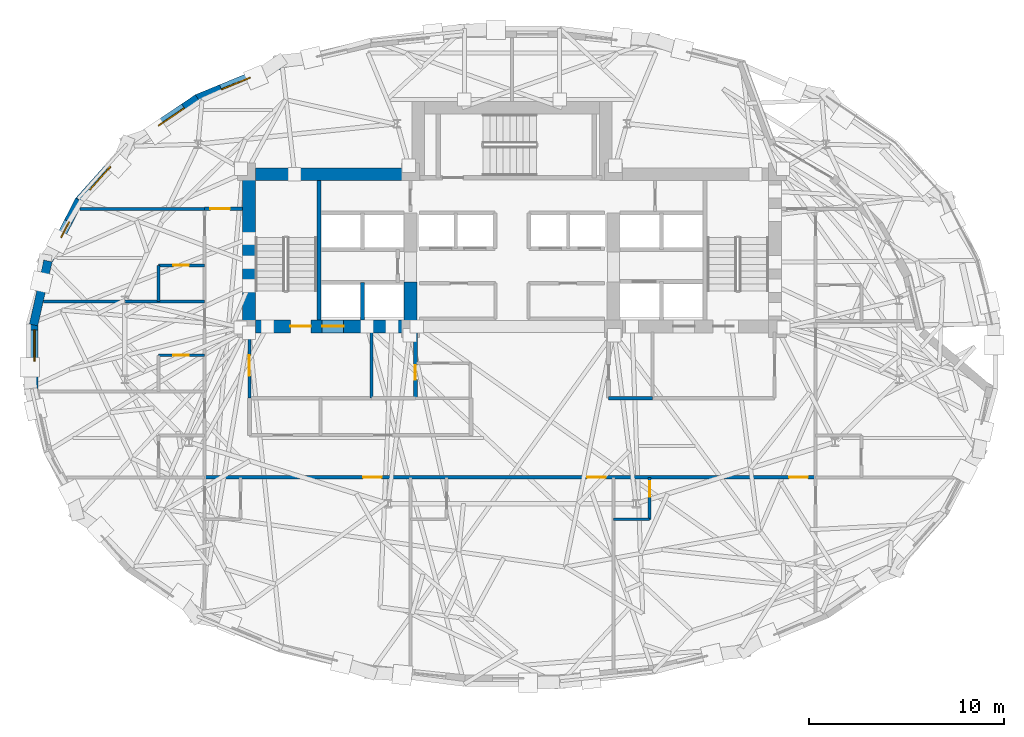
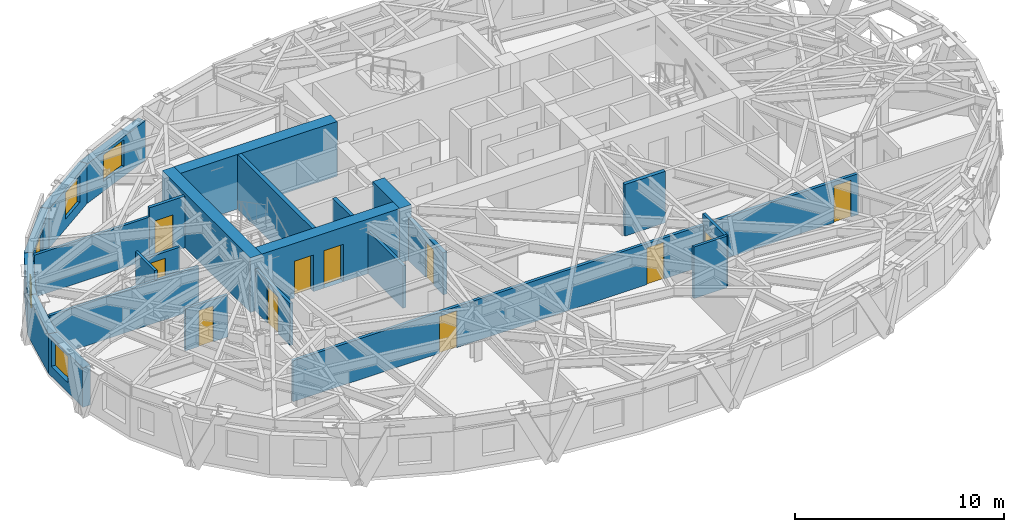
# One storey, part 8 of 15: 25 walls, 11 doors, 5 windows, 16 openings.
"""IFC4 building model written with IfcOpenShell, lengths in metres."""

from ifc_helpers import new_model, si_unit, direction, frame, frame_2d, origin, place, context, subcontext, project, spatial, rectangle, extrude, material, layer, layer_set, type_object, element, fill, save


model = new_model("IFC4")

# Units and contexts
model_context = context("Model", 3, precision=1e-05, world=origin(), true_north=direction((0.0, 1.0)))
body_context = subcontext(model_context, "Body", "Model", "MODEL_VIEW")
ifc_project = project(units=[si_unit("LENGTHUNIT", "METRE"), si_unit("AREAUNIT", "SQUARE_METRE"), si_unit("VOLUMEUNIT", "CUBIC_METRE"), si_unit("PLANEANGLEUNIT", "RADIAN"), si_unit("MASSUNIT", "GRAM", prefix="KILO")], contexts=[model_context])

# Site, building, storey
site_placement = place(None, origin())
site = spatial("IfcSite", under=ifc_project, at=site_placement, CompositionType="ELEMENT")
building_placement = place(site_placement, origin())
building = spatial("IfcBuilding", under=site, at=building_placement, Name="Keldmark Tower", CompositionType="ELEMENT")
storey_placement = place(building_placement, frame((0.0, 0.0, 156.60009765625)))
storey = spatial("IfcBuildingStorey", under=building, at=storey_placement, Name="L42", CompositionType="ELEMENT", Elevation=156.60009765625)

# Wall, opening, door
ifc_material_1 = material(Name="Type X Fire-Rated Gypsum Partition Assembly", Category="gypsum")
ifc_layer_1 = layer(ifc_material_1, 0.1650390625)
ifc_layer_set_1 = layer_set([ifc_layer_1], Name="Type X Fire-Rated Gypsum Partition Assembly")
wall_type_1 = type_object("IfcWallType", Name="Rated Partition 165 mm", PredefinedType="PARTITIONING", material=ifc_layer_set_1)
wall_1_placement = place(storey_placement, frame((-13.449951171875, -2.14990234375, 0.0), z_axis=(0.0, 0.0, 1.0), x_axis=(0.0, 1.0, 0.0)))
wall_1 = element("IfcWall", 1, at=wall_1_placement, inside=storey, type_object=wall_type_1, Name="L42 Rated Partition 165 mm FSAE-W-W", PredefinedType="PARTITIONING", context=body_context, shape_type="SweptSolid", body=[
    extrude(rectangle(XDim=3.39990234375, YDim=0.1650390625, at=frame_2d((1.699951171875, 0.0))), origin(), (0.0, 0.0, 1.0), 2.472900390625),
])
opening_1_placement = place(wall_1_placement, frame((1.14990234375, 0.0, 0.0)))
opening_1 = element("IfcOpeningElement", 2, at=opening_1_placement, cuts=wall_1, Name="Opening D-FL105", PredefinedType="OPENING", context=body_context, shape_type="SweptSolid", body=[
    extrude(rectangle(XDim=1.050048828125, YDim=2.14990234375, at=frame_2d((0.52490234375, 1.074951171875))), frame((0.0, 0.092529296875, 0.0), z_axis=(0.0, -1.0, 0.0), x_axis=(1.0, 0.0, 0.0)), (0.0, 0.0, 1.0), 0.18505859375),
])
ifc_material_2 = material(Name="Fire-Rated Mineral-Core Door and Vision Lite", Category="metal")
door_type_1 = type_object("IfcDoorType", Name="Fire Lobby Door 1050x2150", OperationType="NOTDEFINED", PredefinedType="DOOR", material=ifc_material_2)
door_1_placement = place(opening_1_placement, origin())
door_1 = element("IfcDoor", 3, at=door_1_placement, inside=storey, type_object=door_type_1, Name="L42 Fire Lobby Door 1050x2150 D-FSAEW-OUT-L42", OperationType="SINGLE_SWING_LEFT", OverallHeight=2.14990234375, OverallWidth=1.050048828125, PredefinedType="DOOR", context=body_context, shape_type="SweptSolid", body=[
    extrude(rectangle(XDim=1.050048828125, YDim=2.14990234375, at=frame_2d((0.52490234375, 1.074951171875))), frame((0.0, 0.02490234375, 0.0), z_axis=(0.0, -1.0, 0.0), x_axis=(1.0, 0.0, 0.0)), (0.0, 0.0, 1.0), 0.050048828125),
])
fill(opening_1, door_1)

# Wall
wall_2_placement = place(storey_placement, frame((-7.199951171875, -2.14990234375, 0.0), z_axis=(0.0, 0.0, 1.0), x_axis=(0.0, 1.0, 0.0)))
element("IfcWall", 4, at=wall_2_placement, inside=storey, type_object=wall_type_1, Name="L42 Rated Partition 165 mm FSAE-W-E", PredefinedType="PARTITIONING", context=body_context, shape_type="SweptSolid", body=[
    extrude(rectangle(XDim=3.39990234375, YDim=0.1650390625, at=frame_2d((1.699951171875, 0.0))), origin(), (0.0, 0.0, 1.0), 2.472900390625),
])

# Wall, openings, doors
wall_3_placement = place(storey_placement, frame((-15.75, -6.199951171875, 0.0), z_axis=(0.0, 0.0, 1.0), x_axis=(1.0, 0.0, 0.0)))
wall_3 = element("IfcWall", 5, at=wall_3_placement, inside=storey, type_object=wall_type_1, Name="L42 Rated Partition 165 mm HCOR-S", PredefinedType="PARTITIONING", context=body_context, shape_type="SweptSolid", body=[
    extrude(rectangle(XDim=31.300048828125, YDim=0.1650390625, at=frame_2d((15.64990234375, 0.0))), origin(), (0.0, 0.0, 1.0), 2.39794921875),
])
opening_2_placement = place(wall_3_placement, frame((8.1201171875, 0.0, 0.0)))
opening_2 = element("IfcOpeningElement", 6, at=opening_2_placement, cuts=wall_3, Name="Opening D-HT095", PredefinedType="OPENING", context=body_context, shape_type="SweptSolid", body=[
    extrude(rectangle(XDim=0.949951171875, YDim=2.14990234375, at=frame_2d((0.47509765625, 1.074951171875))), frame((0.0, 0.092529296875, 0.0), z_axis=(0.0, -1.0, 0.0), x_axis=(1.0, 0.0, 0.0)), (0.0, 0.0, 1.0), 0.18505859375),
])
opening_3_placement = place(wall_3_placement, frame((19.60009765625, 0.0, 0.0)))
opening_3 = element("IfcOpeningElement", 7, at=opening_3_placement, cuts=wall_3, Name="Opening D-HT095", PredefinedType="OPENING", context=body_context, shape_type="SweptSolid", body=[
    extrude(rectangle(XDim=0.949951171875, YDim=2.14990234375, at=frame_2d((0.47509765625, 1.074951171875))), frame((0.0, 0.092529296875, 0.0), z_axis=(0.0, -1.0, 0.0), x_axis=(1.0, 0.0, 0.0)), (0.0, 0.0, 1.0), 0.18505859375),
])
opening_4_placement = place(wall_3_placement, frame((29.949951171875, 0.0, 0.0)))
opening_4 = element("IfcOpeningElement", 8, at=opening_4_placement, cuts=wall_3, Name="Opening D-HT095", PredefinedType="OPENING", context=body_context, shape_type="SweptSolid", body=[
    extrude(rectangle(XDim=0.949951171875, YDim=2.14990234375, at=frame_2d((0.47509765625, 1.074951171875))), frame((0.0, 0.092529296875, 0.0), z_axis=(0.0, -1.0, 0.0), x_axis=(1.0, 0.0, 0.0)), (0.0, 0.0, 1.0), 0.18505859375),
])
ifc_material_3 = material(Name="Solid-Core Acoustic White Oak Fire-Rated Assembly", Category="wood")
door_type_2 = type_object("IfcDoorType", Name="Hotel Entry Door 950x2150", OperationType="NOTDEFINED", PredefinedType="DOOR", material=ifc_material_3)
door_2_placement = place(opening_2_placement, origin())
door_2 = element("IfcDoor", 9, at=door_2_placement, inside=storey, type_object=door_type_2, Name="L42 Hotel Entry Door 950x2150 D-HRS1-L42", OperationType="SINGLE_SWING_RIGHT", OverallHeight=2.14990234375, OverallWidth=0.949951171875, PredefinedType="DOOR", context=body_context, shape_type="SweptSolid", body=[
    extrude(rectangle(XDim=0.949951171875, YDim=2.14990234375, at=frame_2d((0.47509765625, 1.074951171875))), frame((0.0, 0.02490234375, 0.0), z_axis=(0.0, -1.0, 0.0), x_axis=(1.0, 0.0, 0.0)), (0.0, 0.0, 1.0), 0.050048828125),
])
fill(opening_2, door_2)
door_3_placement = place(opening_3_placement, origin())
door_3 = element("IfcDoor", 10, at=door_3_placement, inside=storey, type_object=door_type_2, Name="L42 Hotel Entry Door 950x2150 D-HRS2-L42", OperationType="SINGLE_SWING_LEFT", OverallHeight=2.14990234375, OverallWidth=0.949951171875, PredefinedType="DOOR", context=body_context, shape_type="SweptSolid", body=[
    extrude(rectangle(XDim=0.949951171875, YDim=2.14990234375, at=frame_2d((0.47509765625, 1.074951171875))), frame((0.0, 0.02490234375, 0.0), z_axis=(0.0, -1.0, 0.0), x_axis=(1.0, 0.0, 0.0)), (0.0, 0.0, 1.0), 0.050048828125),
])
fill(opening_3, door_3)
door_4_placement = place(opening_4_placement, origin())
door_4 = element("IfcDoor", 11, at=door_4_placement, inside=storey, type_object=door_type_2, Name="L42 Hotel Entry Door 950x2150 D-HRS3-L42", OperationType="SINGLE_SWING_RIGHT", OverallHeight=2.14990234375, OverallWidth=0.949951171875, PredefinedType="DOOR", context=body_context, shape_type="SweptSolid", body=[
    extrude(rectangle(XDim=0.949951171875, YDim=2.14990234375, at=frame_2d((0.47509765625, 1.074951171875))), frame((0.0, 0.02490234375, 0.0), z_axis=(0.0, -1.0, 0.0), x_axis=(1.0, 0.0, 0.0)), (0.0, 0.0, 1.0), 0.050048828125),
])
fill(opening_4, door_4)

# Wall, opening, door
wall_4_placement = place(storey_placement, frame((-15.75, 7.550048828125, 0.0), z_axis=(0.0, 0.0, 1.0), x_axis=(1.0, 0.0, 0.0)))
wall_4 = element("IfcWall", 12, at=wall_4_placement, inside=storey, type_object=wall_type_1, Name="L42 Rated Partition 165 mm HCOR-WN", PredefinedType="PARTITIONING", context=body_context, shape_type="SweptSolid", body=[
    extrude(rectangle(XDim=1.949951171875, YDim=0.1650390625, at=frame_2d((0.97509765625, 0.0))), origin(), (0.0, 0.0, 1.0), 3.02001953125),
])
opening_5_placement = place(wall_4_placement, frame((0.300048828125, 0.0, 0.0)))
opening_5 = element("IfcOpeningElement", 13, at=opening_5_placement, cuts=wall_4, Name="Opening D-FD100", PredefinedType="OPENING", context=body_context, shape_type="SweptSolid", body=[
    extrude(rectangle(XDim=1.0, YDim=2.14990234375, at=frame_2d((0.5, 1.074951171875))), frame((0.0, 0.092529296875, 0.0), z_axis=(0.0, -1.0, 0.0), x_axis=(1.0, 0.0, 0.0)), (0.0, 0.0, 1.0), 0.18505859375),
])
ifc_material_4 = material(Name="Hollow Metal Fire-Rated Corridor Door", Category="metal")
door_type_3 = type_object("IfcDoorType", Name="Fire Door 1000x2150", OperationType="NOTDEFINED", PredefinedType="DOOR", material=ifc_material_4)
door_5_placement = place(opening_5_placement, origin())
door_5 = element("IfcDoor", 14, at=door_5_placement, inside=storey, type_object=door_type_3, Name="L42 Fire Door 1000x2150 D-HNNW-L42", OperationType="SINGLE_SWING_LEFT", OverallHeight=2.14990234375, OverallWidth=1.0, PredefinedType="DOOR", context=body_context, shape_type="SweptSolid", body=[
    extrude(rectangle(XDim=1.0, YDim=2.14990234375, at=frame_2d((0.5, 1.074951171875))), frame((0.0, 0.02490234375, 0.0), z_axis=(0.0, -1.0, 0.0), x_axis=(1.0, 0.0, 0.0)), (0.0, 0.0, 1.0), 0.050048828125),
])
fill(opening_5, door_5)

ifc_material_5 = material(Name="Fire-Resistant Type X Gypsum Shaftliner Coreboard", Category="gypsum")
ifc_layer_2 = layer(ifc_material_5, 0.199951171875)
ifc_layer_set_2 = layer_set([ifc_layer_2], Name="Fire-Resistant Type X Gypsum Shaftliner Coreboard")
wall_type_2 = type_object("IfcWallType", Name="Shaft Wall 200 mm", PredefinedType="SOLIDWALL", material=ifc_layer_set_2)
wall_5_placement = place(storey_placement, frame((-4.949951171875, -2.14990234375, 0.0), z_axis=(0.0, 0.0, 1.0), x_axis=(0.0, 1.0, 0.0)))
wall_5 = element("IfcWall", 15, at=wall_5_placement, inside=storey, type_object=wall_type_2, Name="L42 Shaft Wall 200 mm RIS-SW-E", PredefinedType="SOLIDWALL", context=body_context, shape_type="SweptSolid", body=[
    extrude(rectangle(XDim=3.39990234375, YDim=0.199951171875, at=frame_2d((1.699951171875, 0.0))), origin(), (0.0, 0.0, 1.0), 2.472900390625),
])
opening_6_placement = place(wall_5_placement, frame((0.949951171875, 0.0, 0.0)))
opening_6 = element("IfcOpeningElement", 16, at=opening_6_placement, cuts=wall_5, Name="Opening D-RS075", PredefinedType="OPENING", context=body_context, shape_type="SweptSolid", body=[
    extrude(rectangle(XDim=0.75, YDim=2.10009765625, at=frame_2d((0.375, 1.050048828125))), frame((0.0, 0.10986328125, 0.0), z_axis=(0.0, -1.0, 0.0), x_axis=(1.0, 0.0, 0.0)), (0.0, 0.0, 1.0), 0.219970703125),
])
ifc_material_6 = material(Name="Galvanized Fire-Rated Access Leaf", Category="metal")
door_type_4 = type_object("IfcDoorType", Name="Riser Access Door 750x2100", OperationType="NOTDEFINED", PredefinedType="DOOR", material=ifc_material_6)
door_6_placement = place(opening_6_placement, origin())
door_6 = element("IfcDoor", 17, at=door_6_placement, inside=storey, type_object=door_type_4, Name="L42 Riser Access Door 750x2100 D-RISSW-L42", OperationType="SINGLE_SWING_RIGHT", OverallHeight=2.10009765625, OverallWidth=0.75, PredefinedType="DOOR", context=body_context, shape_type="SweptSolid", body=[
    extrude(rectangle(XDim=0.75, YDim=2.10009765625, at=frame_2d((0.375, 1.050048828125))), frame((0.0, 0.02490234375, 0.0), z_axis=(0.0, -1.0, 0.0), x_axis=(1.0, 0.0, 0.0)), (0.0, 0.0, 1.0), 0.050048828125),
])
fill(opening_6, door_6)

# Walls
wall_6_placement = place(storey_placement, frame((4.949951171875, -2.14990234375, 0.0), z_axis=(0.0, 0.0, 1.0), x_axis=(1.0, 0.0, 0.0)))
element("IfcWall", 18, at=wall_6_placement, inside=storey, type_object=wall_type_2, Name="L42 Shaft Wall 200 mm RIS-SE-S", PredefinedType="SOLIDWALL", context=body_context, shape_type="SweptSolid", body=[
    extrude(rectangle(XDim=2.25, YDim=0.199951171875, at=frame_2d((1.125, 0.0))), origin(), (0.0, 0.0, 1.0), 3.02001953125),
])
wall_7_placement = place(storey_placement, frame((-7.64990234375, 1.85009765625, 0.0), z_axis=(0.0, 0.0, 1.0), x_axis=(0.0, 1.0, 0.0)))
element("IfcWall", 19, at=wall_7_placement, inside=storey, type_object=wall_type_2, Name="L42 Shaft Wall 200 mm HW-W-M", PredefinedType="SOLIDWALL", context=body_context, shape_type="SweptSolid", body=[
    extrude(rectangle(XDim=1.929931640625, YDim=0.199951171875, at=frame_2d((0.96484375, 0.0))), origin(), (0.0, 0.0, 1.0), 3.02001953125),
])
ifc_material_7 = material(Name="Concrete C50/60", Category="concrete")
ifc_layer_3 = layer(ifc_material_7, 0.219970703125)
ifc_layer_set_3 = layer_set([ifc_layer_3], Name="Concrete C50/60")
wall_type_3 = type_object("IfcWallType", Name="Stair Core Shear Wall 220 mm", PredefinedType="SHEAR", material=ifc_layer_set_3)
wall_8_placement = place(storey_placement, frame((-9.889892578125, 1.85009765625, 0.0), z_axis=(0.0, 0.0, 1.0), x_axis=(0.0, 1.0, 0.0)))
element("IfcWall", 20, at=wall_8_placement, inside=storey, type_object=wall_type_3, Name="L42 West Stair Core Shear Wall", PredefinedType="SHEAR", context=body_context, shape_type="SweptSolid", body=[
    extrude(rectangle(XDim=7.14990234375, YDim=0.219970703125, at=frame_2d((3.574951171875, 0.0))), origin(), (0.0, 0.0, 1.0), 3.199951171875),
])

# Wall, opening, window
ifc_material_8 = material(Name="Ironspot Manganese Brick and Kasota Buff Limestone Spandrel Assembly", Category="masonry")
ifc_layer_4 = layer(ifc_material_8, 0.43994140625)
ifc_layer_set_4 = layer_set([ifc_layer_4], Name="Ironspot Manganese Brick and Kasota Buff Limestone Spandrel Assembly")
wall_type_4 = type_object("IfcWallType", Name="Tower Brick Pier and Spandrel Wall 440 mm", PredefinedType="STANDARD", material=ifc_layer_set_4)
wall_9_placement = place(storey_placement, frame((-16.138427734375, 13.1953125, 0.0), z_axis=(0.0, 0.0, 1.0), x_axis=(0.925044361302, 0.3798590918, 0.0)))
wall_9 = element("IfcWall", 21, at=wall_9_placement, inside=storey, type_object=wall_type_4, Name="L42 Exterior Brick and Spandrel Wall 11", PredefinedType="STANDARD", context=body_context, shape_type="SweptSolid", body=[
    extrude(rectangle(XDim=4.619140625, YDim=0.43994140625, at=frame_2d((2.3095703125, 0.0))), origin(), (0.0, 0.0, 1.0), 2.31494140625),
])
opening_7_placement = place(wall_9_placement, frame((1.336669921875, 0.0, 0.580078125)))
opening_7 = element("IfcOpeningElement", 22, at=opening_7_placement, cuts=wall_9, Name="Opening W-04", PredefinedType="OPENING", context=body_context, shape_type="SweptSolid", body=[
    extrude(rectangle(XDim=1.60009765625, YDim=1.550048828125, at=frame_2d((0.800048828125, 0.77490234375))), frame((0.0, 0.22998046875, 0.0), z_axis=(0.0, -1.0, 0.0), x_axis=(1.0, 0.0, 0.0)), (0.0, 0.0, 1.0), 0.4599609375),
])
ifc_material_9 = material(Name="Thermally Broken Anodized Aluminum and Triple Low-E Argon Glazing", Category="aluminium")
window_type_1 = type_object("IfcWindowType", Name="Hotel Deep-Set Operable Window 1600x1550", PartitioningType="DOUBLE_PANEL_HORIZONTAL", PredefinedType="WINDOW", material=ifc_material_9)
window_1_placement = place(opening_7_placement, origin())
window_1 = element("IfcWindow", 23, at=window_1_placement, inside=storey, type_object=window_type_1, Name="L42 Deep-Set Window 11", OverallHeight=1.550048828125, OverallWidth=1.60009765625, PartitioningType="SINGLE_PANEL", PredefinedType="WINDOW", context=body_context, shape_type="SweptSolid", body=[
    extrude(rectangle(XDim=1.60009765625, YDim=1.550048828125, at=frame_2d((0.800048828125, 0.77490234375))), frame((0.0, -0.010009765625, 0.0), z_axis=(0.0, -1.0, 0.0), x_axis=(1.0, 0.0, 0.0)), (0.0, 0.0, 1.0), 0.06005859375),
])
fill(opening_7, window_1)

wall_10_placement = place(storey_placement, frame((-19.643310546875, 10.814208984375, 0.0), z_axis=(0.0, 0.0, 1.0), x_axis=(0.827771778383, 0.561064954272, 0.0)))
wall_10 = element("IfcWall", 24, at=wall_10_placement, inside=storey, type_object=wall_type_4, Name="L42 Exterior Brick and Spandrel Wall 12", PredefinedType="STANDARD", context=body_context, shape_type="SweptSolid", body=[
    extrude(rectangle(XDim=4.2822265625, YDim=0.43994140625, at=frame_2d((2.14111328125, 0.0))), origin(), (0.0, 0.0, 1.0), 2.31494140625),
])
opening_8_placement = place(wall_10_placement, frame((1.837158203125, 0.0, 0.580078125)))
opening_8 = element("IfcOpeningElement", 25, at=opening_8_placement, cuts=wall_10, Name="Opening W-04", PredefinedType="OPENING", context=body_context, shape_type="SweptSolid", body=[
    extrude(rectangle(XDim=1.60009765625, YDim=1.550048828125, at=frame_2d((0.800048828125, 0.77490234375))), frame((0.0, 0.22998046875, 0.0), z_axis=(0.0, -1.0, 0.0), x_axis=(1.0, 0.0, 0.0)), (0.0, 0.0, 1.0), 0.4599609375),
])
window_2_placement = place(opening_8_placement, origin())
window_2 = element("IfcWindow", 26, at=window_2_placement, inside=storey, type_object=window_type_1, Name="L42 Deep-Set Window 12", OverallHeight=1.550048828125, OverallWidth=1.60009765625, PartitioningType="SINGLE_PANEL", PredefinedType="WINDOW", context=body_context, shape_type="SweptSolid", body=[
    extrude(rectangle(XDim=1.60009765625, YDim=1.550048828125, at=frame_2d((0.800048828125, 0.77490234375))), frame((0.0, -0.010009765625, 0.0), z_axis=(0.0, -1.0, 0.0), x_axis=(1.0, 0.0, 0.0)), (0.0, 0.0, 1.0), 0.06005859375),
])
fill(opening_8, window_2)

wall_11_placement = place(storey_placement, frame((-22.191162109375, 7.953125, 0.0), z_axis=(0.0, 0.0, 1.0), x_axis=(0.666335444554, 0.745652114147, 0.0)))
wall_11 = element("IfcWall", 27, at=wall_11_placement, inside=storey, type_object=wall_type_4, Name="L42 Exterior Brick and Spandrel Wall 13", PredefinedType="STANDARD", context=body_context, shape_type="SweptSolid", body=[
    extrude(rectangle(XDim=3.884521484375, YDim=0.43994140625, at=frame_2d((1.9423828125, 0.0))), origin(), (0.0, 0.0, 1.0), 2.31494140625),
])
opening_9_placement = place(wall_11_placement, frame((0.795166015625, 0.0, 0.580078125)))
opening_9 = element("IfcOpeningElement", 28, at=opening_9_placement, cuts=wall_11, Name="Opening W-04", PredefinedType="OPENING", context=body_context, shape_type="SweptSolid", body=[
    extrude(rectangle(XDim=1.60009765625, YDim=1.550048828125, at=frame_2d((0.800048828125, 0.77490234375))), frame((0.0, 0.22998046875, 0.0), z_axis=(0.0, -1.0, 0.0), x_axis=(1.0, 0.0, 0.0)), (0.0, 0.0, 1.0), 0.4599609375),
])
window_3_placement = place(opening_9_placement, origin())
window_3 = element("IfcWindow", 29, at=window_3_placement, inside=storey, type_object=window_type_1, Name="L42 Deep-Set Window 13", OverallHeight=1.550048828125, OverallWidth=1.60009765625, PartitioningType="SINGLE_PANEL", PredefinedType="WINDOW", context=body_context, shape_type="SweptSolid", body=[
    extrude(rectangle(XDim=1.60009765625, YDim=1.550048828125, at=frame_2d((0.800048828125, 0.77490234375))), frame((0.0, -0.010009765625, 0.0), z_axis=(0.0, -1.0, 0.0), x_axis=(1.0, 0.0, 0.0)), (0.0, 0.0, 1.0), 0.06005859375),
])
fill(opening_9, window_3)

wall_12_placement = place(storey_placement, frame((-23.788818359375, 4.831298828125, 0.0), z_axis=(0.0, 0.0, 1.0), x_axis=(0.457409955052, 0.889255943483, 0.0)))
wall_12 = element("IfcWall", 30, at=wall_12_placement, inside=storey, type_object=wall_type_4, Name="L42 Exterior Brick and Spandrel Wall 14", PredefinedType="STANDARD", context=body_context, shape_type="SweptSolid", body=[
    extrude(rectangle(XDim=3.562255859375, YDim=0.43994140625, at=frame_2d((1.78125, 0.0))), origin(), (0.0, 0.0, 1.0), 2.31494140625),
])
opening_10_placement = place(wall_12_placement, frame((1.429443359375, 0.0, 0.580078125)))
opening_10 = element("IfcOpeningElement", 31, at=opening_10_placement, cuts=wall_12, Name="Opening W-09", PredefinedType="OPENING", context=body_context, shape_type="SweptSolid", body=[
    extrude(rectangle(XDim=0.89990234375, YDim=1.35009765625, at=frame_2d((0.449951171875, 0.675048828125))), frame((0.0, 0.22998046875, 0.0), z_axis=(0.0, -1.0, 0.0), x_axis=(1.0, 0.0, 0.0)), (0.0, 0.0, 1.0), 0.4599609375),
])
ifc_material_10 = material(Name="Thermally Broken Anodized Aluminum and Triple Low-E Argon Glazing", Category="aluminium")
window_type_2 = type_object("IfcWindowType", Name="Corner Pier Deep-Set Window 900x1350", PartitioningType="SINGLE_PANEL", PredefinedType="WINDOW", material=ifc_material_10)
window_4_placement = place(opening_10_placement, origin())
window_4 = element("IfcWindow", 32, at=window_4_placement, inside=storey, type_object=window_type_2, Name="L42 Deep-Set Window 14", OverallHeight=1.35009765625, OverallWidth=0.89990234375, PartitioningType="SINGLE_PANEL", PredefinedType="WINDOW", context=body_context, shape_type="SweptSolid", body=[
    extrude(rectangle(XDim=0.89990234375, YDim=1.35009765625, at=frame_2d((0.449951171875, 0.675048828125))), frame((0.0, -0.010009765625, 0.0), z_axis=(0.0, -1.0, 0.0), x_axis=(1.0, 0.0, 0.0)), (0.0, 0.0, 1.0), 0.06005859375),
])
fill(opening_10, window_4)

# Wall
wall_13_placement = place(storey_placement, frame((-24.50634765625, 1.602294921875, 0.0), z_axis=(0.0, 0.0, 1.0), x_axis=(0.219028468724, 0.97571846856, 0.0)))
element("IfcWall", 33, at=wall_13_placement, inside=storey, type_object=wall_type_4, Name="L42 Exterior Brick and Spandrel Wall 15", PredefinedType="STANDARD", context=body_context, shape_type="SweptSolid", body=[
    extrude(rectangle(XDim=3.36279296875, YDim=0.43994140625, at=frame_2d((1.681396484375, 0.0))), origin(), (0.0, 0.0, 1.0), 2.31494140625),
])

# Wall, opening, window
wall_14_placement = place(storey_placement, frame((-24.501220703125, -1.650390625, 0.0), z_axis=(0.0, 0.0, 1.0), x_axis=(0.0, 1.0, 0.0)))
wall_14 = element("IfcWall", 34, at=wall_14_placement, inside=storey, type_object=wall_type_4, Name="L42 Exterior Brick and Spandrel Wall 16", PredefinedType="STANDARD", context=body_context, shape_type="SweptSolid", body=[
    extrude(rectangle(XDim=3.30078125, YDim=0.43994140625, at=frame_2d((1.650390625, 0.0))), origin(), (0.0, 0.0, 1.0), 2.31494140625),
])
opening_11_placement = place(wall_14_placement, frame((1.404541015625, 0.0, 0.580078125)))
opening_11 = element("IfcOpeningElement", 35, at=opening_11_placement, cuts=wall_14, Name="Opening W-04", PredefinedType="OPENING", context=body_context, shape_type="SweptSolid", body=[
    extrude(rectangle(XDim=1.60009765625, YDim=1.550048828125, at=frame_2d((0.800048828125, 0.77490234375))), frame((0.0, 0.22998046875, 0.0), z_axis=(0.0, -1.0, 0.0), x_axis=(1.0, 0.0, 0.0)), (0.0, 0.0, 1.0), 0.4599609375),
])
window_5_placement = place(opening_11_placement, origin())
window_5 = element("IfcWindow", 36, at=window_5_placement, inside=storey, type_object=window_type_1, Name="L42 Deep-Set Window 16", OverallHeight=1.550048828125, OverallWidth=1.60009765625, PartitioningType="SINGLE_PANEL", PredefinedType="WINDOW", context=body_context, shape_type="SweptSolid", body=[
    extrude(rectangle(XDim=1.60009765625, YDim=1.550048828125, at=frame_2d((0.800048828125, 0.77490234375))), frame((0.0, -0.010009765625, 0.0), z_axis=(0.0, -1.0, 0.0), x_axis=(1.0, 0.0, 0.0)), (0.0, 0.0, 1.0), 0.06005859375),
])
fill(opening_11, window_5)

# Walls
ifc_material_11 = material(Name="Concrete C50/60", Category="concrete")
ifc_layer_5 = layer(ifc_material_11, 0.64990234375)
ifc_layer_set_5 = layer_set([ifc_layer_5], Name="Concrete C50/60")
wall_type_5 = type_object("IfcWallType", Name="Upper-Mid Core Shear Wall 650 mm", PredefinedType="SHEAR", material=ifc_layer_set_5)
wall_15_placement = place(storey_placement, frame((-13.47509765625, 1.199951171875, 0.0), z_axis=(0.0, 0.0, 1.0), x_axis=(0.0, 1.0, 0.0)))
element("IfcWall", 37, at=wall_15_placement, inside=storey, type_object=wall_type_5, Name="L42 West Core Outer Shear Wall", PredefinedType="SHEAR", context=body_context, shape_type="SweptSolid", body=[
    extrude(rectangle(XDim=8.449951171875, YDim=0.64990234375, at=frame_2d((4.22509765625, 0.0))), origin(), (0.0, 0.0, 1.0), 3.199951171875),
])
wall_16_placement = place(storey_placement, frame((-13.800048828125, 9.324951171875, 0.0), z_axis=(0.0, 0.0, 1.0), x_axis=(1.0, 0.0, 0.0)))
element("IfcWall", 38, at=wall_16_placement, inside=storey, type_object=wall_type_5, Name="L42 West Core North Shear Wall", PredefinedType="SHEAR", context=body_context, shape_type="SweptSolid", body=[
    extrude(rectangle(XDim=9.324951171875, YDim=0.64990234375, at=frame_2d((4.66259765625, 0.0))), origin(), (0.0, 0.0, 1.0), 3.199951171875),
])

# Wall, openings, doors
wall_17_placement = place(storey_placement, frame((-4.875, 1.52490234375, 0.0), z_axis=(0.0, 0.0, 1.0), x_axis=(-1.0, 0.0, 0.0)))
wall_17 = element("IfcWall", 39, at=wall_17_placement, inside=storey, type_object=wall_type_5, Name="L42 West Core South Shear Wall", PredefinedType="SHEAR", context=body_context, shape_type="SweptSolid", body=[
    extrude(rectangle(XDim=8.925048828125, YDim=0.64990234375, at=frame_2d((4.46240234375, 0.0))), origin(), (0.0, 0.0, 1.0), 3.199951171875),
])
opening_12_placement = place(wall_17_placement, frame((5.425048828125, 0.0, 0.0)))
opening_12 = element("IfcOpeningElement", 40, at=opening_12_placement, cuts=wall_17, Name="Opening D-ST105", PredefinedType="OPENING", context=body_context, shape_type="SweptSolid", body=[
    extrude(rectangle(XDim=1.050048828125, YDim=2.14990234375, at=frame_2d((0.52490234375, 1.074951171875))), frame((0.0, 0.3349609375, 0.0), z_axis=(0.0, -1.0, 0.0), x_axis=(1.0, 0.0, 0.0)), (0.0, 0.0, 1.0), 0.669921875),
])
opening_13_placement = place(wall_17_placement, frame((3.7548828125, 0.0, 0.0)))
opening_13 = element("IfcOpeningElement", 41, at=opening_13_placement, cuts=wall_17, Name="Opening LD-110", PredefinedType="OPENING", context=body_context, shape_type="SweptSolid", body=[
    extrude(rectangle(XDim=1.10009765625, YDim=2.199951171875, at=frame_2d((0.550048828125, 1.10009765625))), frame((0.0, 0.3349609375, 0.0), z_axis=(0.0, -1.0, 0.0), x_axis=(1.0, 0.0, 0.0)), (0.0, 0.0, 1.0), 0.669921875),
])
ifc_material_12 = material(Name="Brushed Bronze Hoistway Sliding Leaf", Category="metal")
door_type_5 = type_object("IfcDoorType", Name="Lift Landing Sliding Door 1100x2200", OperationType="SLIDING_TO_LEFT", PredefinedType="DOOR", material=ifc_material_12)
door_7_placement = place(opening_13_placement, origin())
door_7 = element("IfcDoor", 42, at=door_7_placement, inside=storey, type_object=door_type_5, Name="L42 Lift Landing Sliding Door 1100x2200 LD-EL-FS1-L42", OperationType="SLIDING_TO_LEFT", OverallHeight=2.199951171875, OverallWidth=1.10009765625, PredefinedType="DOOR", context=body_context, shape_type="SweptSolid", body=[
    extrude(rectangle(XDim=1.10009765625, YDim=2.199951171875, at=frame_2d((0.550048828125, 1.10009765625))), frame((0.0, 0.02490234375, 0.0), z_axis=(0.0, -1.0, 0.0), x_axis=(1.0, 0.0, 0.0)), (0.0, 0.0, 1.0), 0.050048828125),
])
fill(opening_13, door_7)
ifc_material_13 = material(Name="Hollow Metal Fire-Rated Door Assembly", Category="metal")
door_type_6 = type_object("IfcDoorType", Name="Stair Fire Door 1050x2150", OperationType="NOTDEFINED", PredefinedType="DOOR", material=ifc_material_13)
door_8_placement = place(opening_12_placement, origin())
door_8 = element("IfcDoor", 43, at=door_8_placement, inside=storey, type_object=door_type_6, Name="L42 Stair Fire Door 1050x2150 D-ST1-L42", OperationType="SINGLE_SWING_RIGHT", OverallHeight=2.14990234375, OverallWidth=1.050048828125, PredefinedType="DOOR", context=body_context, shape_type="SweptSolid", body=[
    extrude(rectangle(XDim=1.050048828125, YDim=2.14990234375, at=frame_2d((0.52490234375, 1.074951171875))), frame((0.0, 0.02490234375, 0.0), z_axis=(0.0, -1.0, 0.0), x_axis=(1.0, 0.0, 0.0)), (0.0, 0.0, 1.0), 0.050048828125),
])
fill(opening_12, door_8)

# Walls
wall_18_placement = place(storey_placement, frame((-5.199951171875, 1.199951171875, 0.0), z_axis=(0.0, 0.0, 1.0), x_axis=(0.0, 1.0, 0.0)))
element("IfcWall", 44, at=wall_18_placement, inside=storey, type_object=wall_type_5, Name="L42 West Core Inner Shear Pier South", PredefinedType="SHEAR", context=body_context, shape_type="SweptSolid", body=[
    extrude(rectangle(XDim=2.60009765625, YDim=0.64990234375, at=frame_2d((1.300048828125, 0.0))), origin(), (0.0, 0.0, 1.0), 3.199951171875),
])
ifc_material_14 = material(Name="Moisture-Resistant Gypsum Plumbing Partition", Category="gypsum")
ifc_layer_6 = layer(ifc_material_14, 0.14990234375)
ifc_layer_set_6 = layer_set([ifc_layer_6], Name="Moisture-Resistant Gypsum Plumbing Partition")
wall_type_6 = type_object("IfcWallType", Name="Wet Wall 150 mm", PredefinedType="PLUMBINGWALL", material=ifc_layer_set_6)
wall_19_placement = place(storey_placement, frame((-22.134033203125, 7.550048828125, 0.0), z_axis=(0.0, 0.0, 1.0), x_axis=(1.0, 0.0, 0.0)))
element("IfcWall", 45, at=wall_19_placement, inside=storey, type_object=wall_type_6, Name="L42 Wet Wall 150 mm HW-CAP-N", PredefinedType="PLUMBINGWALL", context=body_context, shape_type="SweptSolid", body=[
    extrude(rectangle(XDim=6.384033203125, YDim=0.14990234375, at=frame_2d((3.19189453125, 0.0))), origin(), (0.0, 0.0, 1.0), 2.472900390625),
])

# Wall, opening, door
wall_20_placement = place(storey_placement, frame((7.050048828125, -8.35009765625, 0.0), z_axis=(0.0, 0.0, 1.0), x_axis=(0.0, 1.0, 0.0)))
wall_20 = element("IfcWall", 46, at=wall_20_placement, inside=storey, type_object=wall_type_6, Name="L42 Wet Wall 150 mm HB-S3-E", PredefinedType="PLUMBINGWALL", context=body_context, shape_type="SweptSolid", body=[
    extrude(rectangle(XDim=2.150146484375, YDim=0.14990234375, at=frame_2d((1.0751953125, 0.0))), origin(), (0.0, 0.0, 1.0), 3.02001953125),
])
opening_14_placement = place(wall_20_placement, frame((1.14990234375, 0.0, 0.0)))
opening_14 = element("IfcOpeningElement", 47, at=opening_14_placement, cuts=wall_20, Name="Opening D-BT080", PredefinedType="OPENING", context=body_context, shape_type="SweptSolid", body=[
    extrude(rectangle(XDim=0.800048828125, YDim=2.10009765625, at=frame_2d((0.39990234375, 1.050048828125))), frame((0.0, 0.0849609375, 0.0), z_axis=(0.0, -1.0, 0.0), x_axis=(1.0, 0.0, 0.0)), (0.0, 0.0, 1.0), 0.169921875),
])
ifc_material_15 = material(Name="Moisture-Sealed Stained Wood", Category="wood")
door_type_7 = type_object("IfcDoorType", Name="Bathroom Door 800x2100", OperationType="NOTDEFINED", PredefinedType="DOOR", material=ifc_material_15)
door_9_placement = place(opening_14_placement, origin())
door_9 = element("IfcDoor", 48, at=door_9_placement, inside=storey, type_object=door_type_7, Name="L42 Bathroom Door 800x2100 D-HBS3-L42", OperationType="SINGLE_SWING_RIGHT", OverallHeight=2.10009765625, OverallWidth=0.800048828125, PredefinedType="DOOR", context=body_context, shape_type="SweptSolid", body=[
    extrude(rectangle(XDim=0.800048828125, YDim=2.10009765625, at=frame_2d((0.39990234375, 1.050048828125))), frame((0.0, 0.02490234375, 0.0), z_axis=(0.0, -1.0, 0.0), x_axis=(1.0, 0.0, 0.0)), (0.0, 0.0, 1.0), 0.050048828125),
])
fill(opening_14, door_9)

# Walls
wall_21_placement = place(storey_placement, frame((5.199951171875, -8.35009765625, 0.0), z_axis=(0.0, 0.0, 1.0), x_axis=(1.0, 0.0, 0.0)))
element("IfcWall", 49, at=wall_21_placement, inside=storey, type_object=wall_type_6, Name="L42 Wet Wall 150 mm HB-S3-S", PredefinedType="PLUMBINGWALL", context=body_context, shape_type="SweptSolid", body=[
    extrude(rectangle(XDim=1.85009765625, YDim=0.14990234375, at=frame_2d((0.925048828125, 0.0))), origin(), (0.0, 0.0, 1.0), 3.02001953125),
])
wall_22_placement = place(storey_placement, frame((-24.00390625, 2.800048828125, 0.0), z_axis=(0.0, 0.0, 1.0), x_axis=(1.0, 0.0, 0.0)))
element("IfcWall", 50, at=wall_22_placement, inside=storey, type_object=wall_type_6, Name="L42 Wet Wall 150 mm HW-DIV-2", PredefinedType="PLUMBINGWALL", context=body_context, shape_type="SweptSolid", body=[
    extrude(rectangle(XDim=8.25390625, YDim=0.14990234375, at=frame_2d((4.126953125, 0.0))), origin(), (0.0, 0.0, 1.0), 2.472900390625),
])

# Wall, opening, door
wall_23_placement = place(storey_placement, frame((-18.10009765625, 0.050048828125, 0.0), z_axis=(0.0, 0.0, 1.0), x_axis=(1.0, 0.0, 0.0)))
wall_23 = element("IfcWall", 51, at=wall_23_placement, inside=storey, type_object=wall_type_6, Name="L42 Wet Wall 150 mm HB-5-N", PredefinedType="PLUMBINGWALL", context=body_context, shape_type="SweptSolid", body=[
    extrude(rectangle(XDim=2.35009765625, YDim=0.14990234375, at=frame_2d((1.175048828125, 0.0))), origin(), (0.0, 0.0, 1.0), 2.472900390625),
])
opening_15_placement = place(wall_23_placement, frame((0.75, 0.0, 0.0)))
opening_15 = element("IfcOpeningElement", 52, at=opening_15_placement, cuts=wall_23, Name="Opening D-BT080", PredefinedType="OPENING", context=body_context, shape_type="SweptSolid", body=[
    extrude(rectangle(XDim=0.800048828125, YDim=2.10009765625, at=frame_2d((0.39990234375, 1.050048828125))), frame((0.0, 0.0849609375, 0.0), z_axis=(0.0, -1.0, 0.0), x_axis=(1.0, 0.0, 0.0)), (0.0, 0.0, 1.0), 0.169921875),
])
door_10_placement = place(opening_15_placement, origin())
door_10 = element("IfcDoor", 53, at=door_10_placement, inside=storey, type_object=door_type_7, Name="L42 Bathroom Door 800x2100 D-HB-5-L42", OperationType="SINGLE_SWING_LEFT", OverallHeight=2.10009765625, OverallWidth=0.800048828125, PredefinedType="DOOR", context=body_context, shape_type="SweptSolid", body=[
    extrude(rectangle(XDim=0.800048828125, YDim=2.10009765625, at=frame_2d((0.39990234375, 1.050048828125))), frame((0.0, 0.02490234375, 0.0), z_axis=(0.0, -1.0, 0.0), x_axis=(1.0, 0.0, 0.0)), (0.0, 0.0, 1.0), 0.050048828125),
])
fill(opening_15, door_10)

wall_24_placement = place(storey_placement, frame((-18.10009765625, 4.64990234375, 0.0), z_axis=(0.0, 0.0, 1.0), x_axis=(1.0, 0.0, 0.0)))
wall_24 = element("IfcWall", 54, at=wall_24_placement, inside=storey, type_object=wall_type_6, Name="L42 Wet Wall 150 mm HB-6-N", PredefinedType="PLUMBINGWALL", context=body_context, shape_type="SweptSolid", body=[
    extrude(rectangle(XDim=2.35009765625, YDim=0.14990234375, at=frame_2d((1.175048828125, 0.0))), origin(), (0.0, 0.0, 1.0), 2.472900390625),
])
opening_16_placement = place(wall_24_placement, frame((0.75, 0.0, 0.0)))
opening_16 = element("IfcOpeningElement", 55, at=opening_16_placement, cuts=wall_24, Name="Opening D-BT080", PredefinedType="OPENING", context=body_context, shape_type="SweptSolid", body=[
    extrude(rectangle(XDim=0.800048828125, YDim=2.10009765625, at=frame_2d((0.39990234375, 1.050048828125))), frame((0.0, 0.0849609375, 0.0), z_axis=(0.0, -1.0, 0.0), x_axis=(1.0, 0.0, 0.0)), (0.0, 0.0, 1.0), 0.169921875),
])
door_11_placement = place(opening_16_placement, origin())
door_11 = element("IfcDoor", 56, at=door_11_placement, inside=storey, type_object=door_type_7, Name="L42 Bathroom Door 800x2100 D-HB-6-L42", OperationType="SINGLE_SWING_LEFT", OverallHeight=2.10009765625, OverallWidth=0.800048828125, PredefinedType="DOOR", context=body_context, shape_type="SweptSolid", body=[
    extrude(rectangle(XDim=0.800048828125, YDim=2.10009765625, at=frame_2d((0.39990234375, 1.050048828125))), frame((0.0, 0.02490234375, 0.0), z_axis=(0.0, -1.0, 0.0), x_axis=(1.0, 0.0, 0.0)), (0.0, 0.0, 1.0), 0.050048828125),
])
fill(opening_16, door_11)

# Wall
wall_25_placement = place(storey_placement, frame((-18.10009765625, 2.800048828125, 0.0), z_axis=(0.0, 0.0, 1.0), x_axis=(0.0, 1.0, 0.0)))
element("IfcWall", 57, at=wall_25_placement, inside=storey, type_object=wall_type_6, Name="L42 Wet Wall 150 mm HB-6-IN", PredefinedType="PLUMBINGWALL", context=body_context, shape_type="SweptSolid", body=[
    extrude(rectangle(XDim=1.849853515625, YDim=0.14990234375, at=frame_2d((0.9248046875, 0.0))), origin(), (0.0, 0.0, 1.0), 3.02001953125),
])

save(model, "model.ifc")
